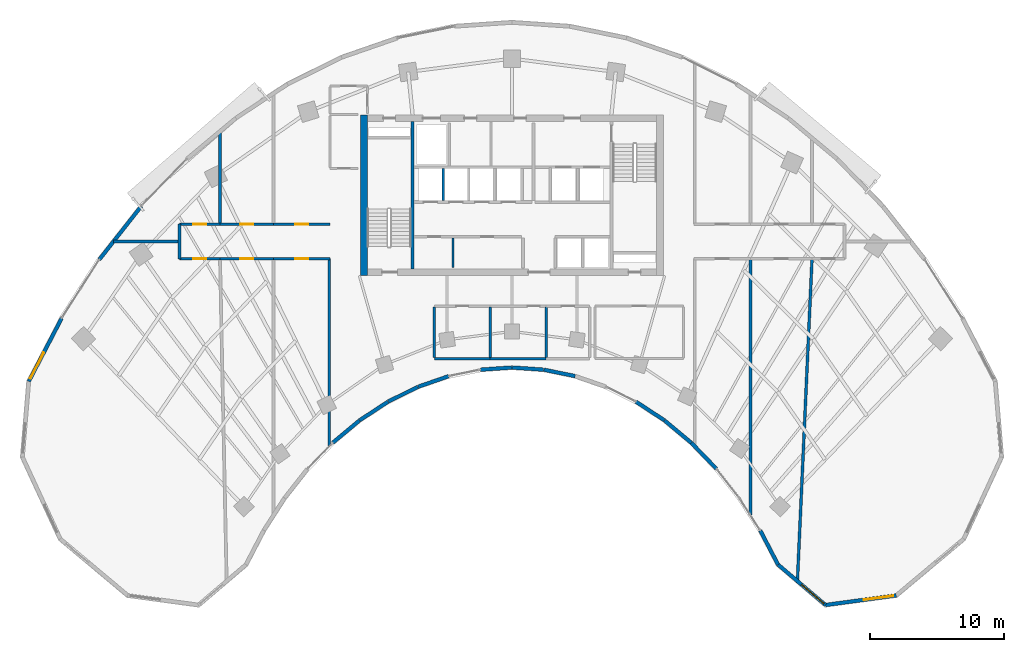
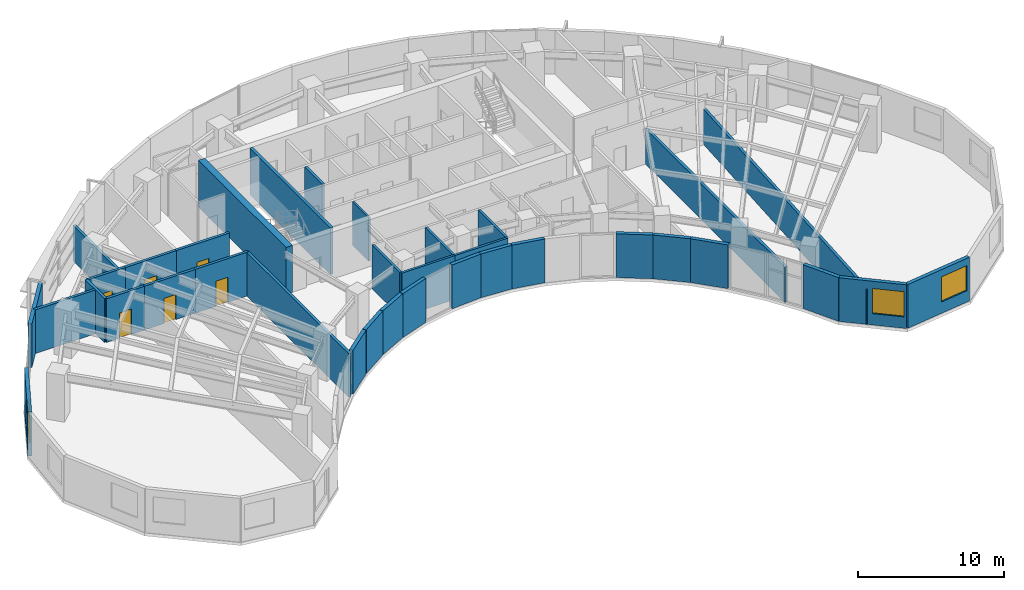
# One storey, part 8 of 14: 36 walls, 6 doors, 3 windows, 9 openings.
"""IFC4 building model written with IfcOpenShell, lengths in metres."""

from ifc_helpers import new_model, si_unit, direction, frame, frame_2d, origin, place, context, subcontext, project, spatial, rectangle, extrude, source, transform, mapped, material, layer, layer_set, type_object, type_shapes, element, fill, save


model = new_model("IFC4")

# Units and contexts
model_context = context("Model", 3, precision=1e-05, world=origin(), true_north=direction((0.0, 1.0)))
body_context = subcontext(model_context, "Body", "Model", "MODEL_VIEW")
ifc_project = project(units=[si_unit("LENGTHUNIT", "METRE"), si_unit("AREAUNIT", "SQUARE_METRE"), si_unit("VOLUMEUNIT", "CUBIC_METRE"), si_unit("PLANEANGLEUNIT", "RADIAN"), si_unit("MASSUNIT", "GRAM", prefix="KILO")], contexts=[model_context])

# Site, building, storey
site_placement = place(None, origin())
site = spatial("IfcSite", under=ifc_project, at=site_placement, CompositionType="ELEMENT")
building_placement = place(site_placement, origin())
building = spatial("IfcBuilding", under=site, at=building_placement, Name="Breltana Convention Tower", CompositionType="ELEMENT")
storey_placement = place(building_placement, frame((0.0, 0.0, 135.0)))
storey = spatial("IfcBuildingStorey", under=building, at=storey_placement, Name="L32", CompositionType="ELEMENT", Elevation=135.0)

# Walls
ifc_material_1 = material(Name="Concrete C60/75", Category="concrete")
ifc_layer_1 = layer(ifc_material_1, 0.5, Name="Concrete C60/75")
ifc_layer_set_1 = layer_set([ifc_layer_1], Name="Concrete C60/75")
wall_type_1 = type_object("IfcWallType", Name="SW-CORE-500", PredefinedType="SHEAR", material=ifc_layer_set_1)
shared_shape_1 = source(origin(), body_context, "Body", "SweptSolid", [
    extrude(rectangle(XDim=12.0, YDim=0.5, at=frame_2d((6.0, 0.0))), origin(), (0.0, 0.0, 1.0), 3.89990234375),
])
wall_1_placement = place(storey_placement, frame((36.949951171875, 60.199951171875, 0.0), z_axis=(0.0, 0.0, 1.0), x_axis=(0.0, 1.0, 0.0)))
element("IfcWall", 1, at=wall_1_placement, inside=storey, type_object=wall_type_1, Name="L32 West Core Shear Wall", PredefinedType="SHEAR", context=body_context, shape_type="MappedRepresentation", body=[
    mapped(shared_shape_1, transform((0.0, 0.0, 0.0), scale=1.0)),
])
ifc_material_2 = material(Name="Concrete C50/60", Category="concrete")
ifc_layer_2 = layer(ifc_material_2, 0.39990234375, Name="Concrete C50/60")
ifc_layer_set_2 = layer_set([ifc_layer_2], Name="Concrete C50/60")
wall_type_2 = type_object("IfcWallType", Name="SW-CORE-400", PredefinedType="SHEAR", material=ifc_layer_set_2)
shared_shape_2 = source(origin(), body_context, "Body", "SweptSolid", [
    extrude(rectangle(XDim=11.0, YDim=0.219970703125, at=frame_2d((5.5, 0.0))), origin(), (0.0, 0.0, 1.0), 3.89990234375),
])
wall_2_placement = place(storey_placement, frame((40.580078125, 60.699951171875, 0.0), z_axis=(0.0, 0.0, 1.0), x_axis=(0.0, 1.0, 0.0)))
element("IfcWall", 2, at=wall_2_placement, inside=storey, type_object=wall_type_2, Name="L32 Core West Stair Spine Wall", PredefinedType="SHEAR", context=body_context, shape_type="MappedRepresentation", body=[
    mapped(shared_shape_2, transform((0.0, 0.0, 0.0), scale=1.0)),
])

# Wall, opening, window
ifc_material_3 = material(Name="Limestone Buff Insulated Wall", Category="masonry")
ifc_layer_3 = layer(ifc_material_3, 0.280029296875, Name="Limestone Buff Insulated Wall")
ifc_layer_set_3 = layer_set([ifc_layer_3], Name="Limestone Buff Insulated Wall")
wall_type_3 = type_object("IfcWallType", Name="WL-EXT-NOSE-280", PredefinedType="SOLIDWALL", material=ifc_layer_set_3)
shared_shape_3 = source(origin(), body_context, "Body", "SweptSolid", [
    extrude(rectangle(XDim=5.32373046875, YDim=0.280029296875, at=frame_2d((2.661865234375, 0.0))), origin(), (0.0, 0.0, 1.0), 3.64990234375),
])
wall_3_placement = place(storey_placement, frame((76.685791015625, 36.321533203125, 0.0), z_axis=(0.0, 0.0, 1.0), x_axis=(-0.990931467223, -0.134368252451, 0.0)))
wall_3 = element("IfcWall", 3, at=wall_3_placement, inside=storey, type_object=wall_type_3, Name="L32 curved limestone nose wall E4", PredefinedType="SOLIDWALL", context=body_context, shape_type="MappedRepresentation", body=[
    mapped(shared_shape_3, transform((0.0, 0.0, 0.0), scale=1.0)),
])
opening_1_placement = place(wall_3_placement, frame((0.23095703125, 0.0, 0.949951171875)))
opening_1 = element("IfcOpeningElement", 4, at=opening_1_placement, cuts=wall_3, Name="Opening W-03", PredefinedType="OPENING", context=body_context, shape_type="SweptSolid", body=[
    extrude(rectangle(XDim=2.199951171875, YDim=2.10009765625, at=frame_2d((1.10009765625, 1.050048828125))), frame((0.0, 0.14990234375, 0.0), z_axis=(0.0, -1.0, 0.0), x_axis=(1.0, 0.0, 0.0)), (0.0, 0.0, 1.0), 0.300048828125),
])
ifc_material_4 = material(Name="Glass Low-E Insulated Window", Category="glass")
window_type = type_object("IfcWindowType", Name="WN-NOSE-2200X2100", PartitioningType="TRIPLE_PANEL_VERTICAL", PredefinedType="WINDOW", material=ifc_material_4)
shared_shape_4 = source(origin(), body_context, "Body", "SweptSolid", [
    extrude(rectangle(XDim=2.199951171875, YDim=2.10009765625, at=frame_2d((1.10009765625, 1.050048828125))), frame((0.0, 0.030029296875, 0.0), z_axis=(0.0, -1.0, 0.0), x_axis=(1.0, 0.0, 0.0)), (0.0, 0.0, 1.0), 0.06005859375),
])
type_shapes(window_type, [shared_shape_4])
window_1_placement = place(opening_1_placement, origin())
window_1 = element("IfcWindow", 5, at=window_1_placement, inside=storey, type_object=window_type, Name="L32 nose window E4", OverallHeight=2.10009765625, OverallWidth=2.199951171875, PartitioningType="TRIPLE_PANEL_VERTICAL", PredefinedType="WINDOW", context=body_context, shape_type="MappedRepresentation", body=[
    mapped(shared_shape_4, transform((0.0, 0.0, 0.0), scale=1.0)),
])
fill(opening_1, window_1)

shared_shape_5 = source(origin(), body_context, "Body", "SweptSolid", [
    extrude(rectangle(XDim=4.6591796875, YDim=0.280029296875, at=frame_2d((2.32958984375, 0.0))), origin(), (0.0, 0.0, 1.0), 3.64990234375),
])
wall_4_placement = place(storey_placement, frame((71.410400390625, 35.606201171875, 0.0), z_axis=(0.0, 0.0, 1.0), x_axis=(-0.761913458795, 0.647678841176, 0.0)))
wall_4 = element("IfcWall", 6, at=wall_4_placement, inside=storey, type_object=wall_type_3, Name="L32 curved limestone nose wall E5", PredefinedType="SOLIDWALL", context=body_context, shape_type="MappedRepresentation", body=[
    mapped(shared_shape_5, transform((0.0, 0.0, 0.0), scale=1.0)),
])
opening_2_placement = place(wall_4_placement, frame((0.159912109375, 0.0, 0.949951171875)))
opening_2 = element("IfcOpeningElement", 7, at=opening_2_placement, cuts=wall_4, Name="Opening W-03", PredefinedType="OPENING", context=body_context, shape_type="SweptSolid", body=[
    extrude(rectangle(XDim=2.199951171875, YDim=2.10009765625, at=frame_2d((1.10009765625, 1.050048828125))), frame((0.0, 0.14990234375, 0.0), z_axis=(0.0, -1.0, 0.0), x_axis=(1.0, 0.0, 0.0)), (0.0, 0.0, 1.0), 0.300048828125),
])
window_2_placement = place(opening_2_placement, origin())
window_2 = element("IfcWindow", 8, at=window_2_placement, inside=storey, type_object=window_type, Name="L32 nose window E5", OverallHeight=2.10009765625, OverallWidth=2.199951171875, PartitioningType="TRIPLE_PANEL_VERTICAL", PredefinedType="WINDOW", context=body_context, shape_type="MappedRepresentation", body=[
    mapped(shared_shape_4, transform((0.0, 0.0, 0.0), scale=1.0)),
])
fill(opening_2, window_2)

# Walls
shared_shape_6 = source(origin(), body_context, "Body", "SweptSolid", [
    extrude(rectangle(XDim=2.8798828125, YDim=0.280029296875, at=frame_2d((1.43994140625, 0.0))), origin(), (0.0, 0.0, 1.0), 3.64990234375),
])
wall_5_placement = place(storey_placement, frame((67.860595703125, 38.623779296875, 0.0), z_axis=(0.0, 0.0, 1.0), x_axis=(-0.461769086658, 0.887000175088, 0.0)))
element("IfcWall", 9, at=wall_5_placement, inside=storey, type_object=wall_type_3, Name="L32 curved limestone nose wall E6", PredefinedType="SOLIDWALL", context=body_context, shape_type="MappedRepresentation", body=[
    mapped(shared_shape_6, transform((0.0, 0.0, 0.0), scale=1.0)),
])
shared_shape_7 = source(origin(), body_context, "Body", "SweptSolid", [
    extrude(rectangle(XDim=2.679931640625, YDim=0.280029296875, at=frame_2d((1.33984375, 0.0))), origin(), (0.0, 0.0, 1.0), 3.64990234375),
])
wall_6_placement = place(storey_placement, frame((63.260009765625, 45.780029296875, 0.0), z_axis=(0.0, 0.0, 1.0), x_axis=(-0.694561996568, 0.719432855049, 0.0)))
element("IfcWall", 10, at=wall_6_placement, inside=storey, type_object=wall_type_3, Name="L32 curved limestone nose wall E7", PredefinedType="SOLIDWALL", context=body_context, shape_type="MappedRepresentation", body=[
    mapped(shared_shape_7, transform((0.0, 0.0, 0.0), scale=1.0)),
])
shared_shape_8 = source(origin(), body_context, "Body", "SweptSolid", [
    extrude(rectangle(XDim=2.600830078125, YDim=0.280029296875, at=frame_2d((1.30029296875, 0.0))), origin(), (0.0, 0.0, 1.0), 3.64990234375),
])
for number, where, z_axis, x_axis, name in (
    (11, (61.384521484375, 47.72119140625, 0.0), (0.0, 0.0, 1.0), (-0.76796730295, 0.640489048775, 0.0), "L32 curved limestone nose wall E8"),
    (12, (36.61279296875, 49.386962890625, 0.0), (0.0, 0.0, 1.0), (-0.76796730295, -0.640489048775, 0.0), "L32 curved limestone nose wall E17"),
):
    element("IfcWall", number, at=place(storey_placement, frame(where, z_axis=z_axis, x_axis=x_axis)), inside=storey, type_object=wall_type_3, Name=name, PredefinedType="SOLIDWALL", context=body_context, shape_type="MappedRepresentation", body=[
        mapped(shared_shape_8, transform((0.0, 0.0, 0.0), scale=1.0)),
    ])
shared_shape_9 = source(origin(), body_context, "Body", "SweptSolid", [
    extrude(rectangle(XDim=2.46240234375, YDim=0.280029296875, at=frame_2d((1.231201171875, 0.0))), origin(), (0.0, 0.0, 1.0), 3.64990234375),
])
wall_7_placement = place(storey_placement, frame((40.96728515625, 51.890625, 0.0), z_axis=(0.0, 0.0, 1.0), x_axis=(-0.8959882207, -0.444077817917, 0.0)))
element("IfcWall", 13, at=wall_7_placement, inside=storey, type_object=wall_type_3, Name="L32 curved limestone nose wall E15", PredefinedType="SOLIDWALL", context=body_context, shape_type="MappedRepresentation", body=[
    mapped(shared_shape_9, transform((0.0, 0.0, 0.0), scale=1.0)),
])
shared_shape_10 = source(origin(), body_context, "Body", "SweptSolid", [
    extrude(rectangle(XDim=2.41064453125, YDim=0.280029296875, at=frame_2d((1.205322265625, 0.0))), origin(), (0.0, 0.0, 1.0), 3.64990234375),
])
wall_8_placement = place(storey_placement, frame((43.26611328125, 52.688720703125, 0.0), z_axis=(0.0, 0.0, 1.0), x_axis=(-0.944880068161, -0.327416640982, 0.0)))
element("IfcWall", 14, at=wall_8_placement, inside=storey, type_object=wall_type_3, Name="L32 curved limestone nose wall E14", PredefinedType="SOLIDWALL", context=body_context, shape_type="MappedRepresentation", body=[
    mapped(shared_shape_10, transform((0.0, 0.0, 0.0), scale=1.0)),
])
shared_shape_11 = source(origin(), body_context, "Body", "SweptSolid", [
    extrude(rectangle(XDim=2.373779296875, YDim=0.280029296875, at=frame_2d((1.18701171875, 0.0))), origin(), (0.0, 0.0, 1.0), 3.64990234375),
])
wall_9_placement = place(storey_placement, frame((52.711181640625, 52.695068359375, 0.0), z_axis=(0.0, 0.0, 1.0), x_axis=(-0.979619827472, 0.200860632341, 0.0)))
element("IfcWall", 15, at=wall_9_placement, inside=storey, type_object=wall_type_3, Name="L32 curved limestone nose wall E11", PredefinedType="SOLIDWALL", context=body_context, shape_type="MappedRepresentation", body=[
    mapped(shared_shape_11, transform((0.0, 0.0, 0.0), scale=1.0)),
])
shared_shape_12 = source(origin(), body_context, "Body", "SweptSolid", [
    extrude(rectangle(XDim=2.35498046875, YDim=0.280029296875, at=frame_2d((1.177490234375, 0.0))), origin(), (0.0, 0.0, 1.0), 3.64990234375),
])
for number, where, z_axis, x_axis, name in (
    (16, (50.36181640625, 53.175048828125, 0.0), (0.0, 0.0, 1.0), (-0.997699017577, 0.067798748701, 0.0), "L32 curved limestone nose wall E12"),
    (17, (47.98779296875, 53.334716796875, 0.0), (0.0, 0.0, 1.0), (-0.997699017577, -0.067798748701, 0.0), "L32 curved limestone nose wall E13"),
):
    element("IfcWall", number, at=place(storey_placement, frame(where, z_axis=z_axis, x_axis=x_axis)), inside=storey, type_object=wall_type_3, Name=name, PredefinedType="SOLIDWALL", context=body_context, shape_type="MappedRepresentation", body=[
        mapped(shared_shape_12, transform((0.0, 0.0, 0.0), scale=1.0)),
    ])
shared_shape_13 = source(origin(), body_context, "Body", "SweptSolid", [
    extrude(rectangle(XDim=2.52734375, YDim=0.280029296875, at=frame_2d((1.263671875, 0.0))), origin(), (0.0, 0.0, 1.0), 3.64990234375),
])
for number, where, z_axis, x_axis, name in (
    (18, (59.37060546875, 49.3994140625, 0.0), (0.0, 0.0, 1.0), (-0.836011905051, 0.548711303523, 0.0), "L32 curved limestone nose wall E9"),
    (19, (38.7421875, 50.7861328125, 0.0), (0.0, 0.0, 1.0), (-0.836011905051, -0.548711303523, 0.0), "L32 curved limestone nose wall E16"),
):
    element("IfcWall", number, at=place(storey_placement, frame(where, z_axis=z_axis, x_axis=x_axis)), inside=storey, type_object=wall_type_3, Name=name, PredefinedType="SOLIDWALL", context=body_context, shape_type="MappedRepresentation", body=[
        mapped(shared_shape_13, transform((0.0, 0.0, 0.0), scale=1.0)),
    ])

# Wall, opening, window
shared_shape_14 = source(origin(), body_context, "Body", "SweptSolid", [
    extrude(rectangle(XDim=5.315185546875, YDim=0.280029296875, at=frame_2d((2.65771484375, 0.0))), origin(), (0.0, 0.0, 1.0), 3.64990234375),
])
wall_10_placement = place(storey_placement, frame((11.92236328125, 52.305419921875, 0.0), z_axis=(0.0, 0.0, 1.0), x_axis=(0.461760527822, 0.887004630735, 0.0)))
wall_10 = element("IfcWall", 20, at=wall_10_placement, inside=storey, type_object=wall_type_3, Name="L32 curved limestone nose wall W7", PredefinedType="SOLIDWALL", context=body_context, shape_type="MappedRepresentation", body=[
    mapped(shared_shape_14, transform((0.0, 0.0, 0.0), scale=1.0)),
])
opening_3_placement = place(wall_10_placement, frame((0.228759765625, 0.0, 0.949951171875)))
opening_3 = element("IfcOpeningElement", 21, at=opening_3_placement, cuts=wall_10, Name="Opening W-03", PredefinedType="OPENING", context=body_context, shape_type="SweptSolid", body=[
    extrude(rectangle(XDim=2.199951171875, YDim=2.10009765625, at=frame_2d((1.10009765625, 1.050048828125))), frame((0.0, 0.14990234375, 0.0), z_axis=(0.0, -1.0, 0.0), x_axis=(1.0, 0.0, 0.0)), (0.0, 0.0, 1.0), 0.300048828125),
])
window_3_placement = place(opening_3_placement, origin())
window_3 = element("IfcWindow", 22, at=window_3_placement, inside=storey, type_object=window_type, Name="L32 nose window W7", OverallHeight=2.10009765625, OverallWidth=2.199951171875, PartitioningType="TRIPLE_PANEL_VERTICAL", PredefinedType="WINDOW", context=body_context, shape_type="MappedRepresentation", body=[
    mapped(shared_shape_4, transform((0.0, 0.0, 0.0), scale=1.0)),
])
fill(opening_3, window_3)

# Walls
shared_shape_15 = source(origin(), body_context, "Body", "SweptSolid", [
    extrude(rectangle(XDim=5.05810546875, YDim=0.280029296875, at=frame_2d((2.529052734375, 0.0))), origin(), (0.0, 0.0, 1.0), 3.64990234375),
])
wall_11_placement = place(storey_placement, frame((17.1884765625, 61.400390625, 0.0), z_axis=(0.0, 0.0, 1.0), x_axis=(0.618145507434, 0.786063694391, 0.0)))
element("IfcWall", 23, at=wall_11_placement, inside=storey, type_object=wall_type_3, Name="L32 curved limestone nose wall E20", PredefinedType="SOLIDWALL", context=body_context, shape_type="MappedRepresentation", body=[
    mapped(shared_shape_15, transform((0.0, 0.0, 0.0), scale=1.0)),
])
ifc_material_5 = material(Name="Autoclaved Aerated Concrete Block", Category="concrete")
ifc_layer_4 = layer(ifc_material_5, 0.199951171875, Name="Autoclaved Aerated Concrete Block")
ifc_layer_set_4 = layer_set([ifc_layer_4], Name="Autoclaved Aerated Concrete Block")
wall_type_4 = type_object("IfcWallType", Name="WL-SHAFT-200", PredefinedType="SOLIDWALL", material=ifc_layer_set_4)
shared_shape_16 = source(origin(), body_context, "Body", "SweptSolid", [
    extrude(rectangle(XDim=2.39990234375, YDim=0.199951171875, at=frame_2d((1.199951171875, 0.0))), origin(), (0.0, 0.0, 1.0), 3.64990234375),
])
wall_12_placement = place(storey_placement, frame((42.8701171875, 65.800048828125, 0.0), z_axis=(0.0, 0.0, 1.0), x_axis=(0.0, 1.0, 0.0)))
element("IfcWall", 24, at=wall_12_placement, inside=storey, type_object=wall_type_4, Name="L32 interior partition W-L32-SH-M-DIV1", PredefinedType="SOLIDWALL", context=body_context, shape_type="MappedRepresentation", body=[
    mapped(shared_shape_16, transform((0.0, 0.0, 0.0), scale=1.0)),
])
ifc_material_6 = material(Name="Cement Board Wet-Area Partition")
ifc_layer_5 = layer(ifc_material_6, 0.175048828125, Name="Cement Board Wet-Area Partition")
ifc_layer_set_5 = layer_set([ifc_layer_5], Name="Cement Board Wet-Area Partition")
wall_type_5 = type_object("IfcWallType", Name="WL-WET-175", PredefinedType="PARTITIONING", material=ifc_layer_set_5)
shared_shape_17 = source(origin(), body_context, "Body", "SweptSolid", [
    extrude(rectangle(XDim=4.176025390625, YDim=0.175048828125, at=frame_2d((2.087890625, 0.0))), origin(), (0.0, 0.0, 1.0), 3.64990234375),
])
for number, where, z_axis, x_axis, name in (
    (25, (42.199951171875, 54.0, 0.0), (0.0, 0.0, 1.0), (1.0, 0.0, 0.0), "L32 interior partition W-L32-WCM-S"),
    (26, (46.3759765625, 54.0, 0.0), (0.0, 0.0, 1.0), (1.0, 0.0, 0.0), "L32 interior partition W-L32-WCF-S"),
):
    element("IfcWall", number, at=place(storey_placement, frame(where, z_axis=z_axis, x_axis=x_axis)), inside=storey, type_object=wall_type_5, Name=name, PredefinedType="PARTITIONING", context=body_context, shape_type="MappedRepresentation", body=[
        mapped(shared_shape_17, transform((0.0, 0.0, 0.0), scale=1.0)),
    ])
shared_shape_18 = source(origin(), body_context, "Body", "SweptSolid", [
    extrude(rectangle(XDim=3.7626953125, YDim=0.175048828125, at=frame_2d((1.88134765625, 0.0))), origin(), (0.0, 0.0, 1.0), 3.64990234375),
])
for number, where, z_axis, x_axis, name in (
    (27, (42.199951171875, 54.07861328125, 0.0), (0.0, 0.0, 1.0), (0.0, 1.0, 0.0), "L32 interior partition W-L32-WCM-W"),
    (28, (46.3759765625, 54.07861328125, 0.0), (0.0, 0.0, 1.0), (0.0, 1.0, 0.0), "L32 interior partition W-L32-WCM-E"),
    (29, (50.552001953125, 54.07861328125, 0.0), (0.0, 0.0, 1.0), (0.0, 1.0, 0.0), "L32 interior partition W-L32-WCF-E"),
):
    element("IfcWall", number, at=place(storey_placement, frame(where, z_axis=z_axis, x_axis=x_axis)), inside=storey, type_object=wall_type_5, Name=name, PredefinedType="PARTITIONING", context=body_context, shape_type="MappedRepresentation", body=[
        mapped(shared_shape_18, transform((0.0, 0.0, 0.0), scale=1.0)),
    ])
ifc_material_7 = material(Name="Gypsum Acoustic Drywall Partition")
ifc_layer_6 = layer(ifc_material_7, 0.14990234375, Name="Gypsum Acoustic Drywall Partition")
ifc_layer_set_6 = layer_set([ifc_layer_6], Name="Gypsum Acoustic Drywall Partition")
wall_type_6 = type_object("IfcWallType", Name="WL-PART-150", PredefinedType="PARTITIONING", material=ifc_layer_set_6)
shared_shape_19 = source(origin(), body_context, "Body", "SweptSolid", [
    extrude(rectangle(XDim=2.199951171875, YDim=0.14990234375, at=frame_2d((1.10009765625, 0.0))), origin(), (0.0, 0.0, 1.0), 3.64990234375),
])
wall_13_placement = place(storey_placement, frame((43.60009765625, 60.800048828125, 0.0), z_axis=(0.0, 0.0, 1.0), x_axis=(0.0, 1.0, 0.0)))
element("IfcWall", 30, at=wall_13_placement, inside=storey, type_object=wall_type_6, Name="L32 interior partition W-L32-LV7-B1-DIV", PredefinedType="PARTITIONING", context=body_context, shape_type="MappedRepresentation", body=[
    mapped(shared_shape_19, transform((0.0, 0.0, 0.0), scale=1.0)),
])

# Wall, opening, door
ifc_material_8 = material(Name="Autoclaved Aerated Masonry Blockwork", Category="masonry")
ifc_layer_7 = layer(ifc_material_8, 0.2099609375, Name="Autoclaved Aerated Masonry Blockwork")
ifc_layer_set_7 = layer_set([ifc_layer_7], Name="Autoclaved Aerated Masonry Blockwork")
wall_type_7 = type_object("IfcWallType", Name="WL-PART-200", PredefinedType="PARTITIONING", material=ifc_layer_set_7)
shared_shape_20 = source(origin(), body_context, "Body", "SweptSolid", [
    extrude(rectangle(XDim=3.02001953125, YDim=0.2099609375, at=frame_2d((1.510009765625, 0.0))), origin(), (0.0, 0.0, 1.0), 3.64990234375),
])
wall_14_placement = place(storey_placement, frame((23.179931640625, 64.0400390625, 0.0), z_axis=(0.0, 0.0, 1.0), x_axis=(1.0, 0.0, 0.0)))
wall_14 = element("IfcWall", 31, at=wall_14_placement, inside=storey, type_object=wall_type_7, Name="L32 interior partition W-L32-ZWN1-D", PredefinedType="PARTITIONING", context=body_context, shape_type="MappedRepresentation", body=[
    mapped(shared_shape_20, transform((0.0, 0.0, 0.0), scale=1.0)),
])
opening_4_placement = place(wall_14_placement, frame((1.034912109375, 0.0, 0.0)))
opening_4 = element("IfcOpeningElement", 32, at=opening_4_placement, cuts=wall_14, Name="Opening D-17", PredefinedType="OPENING", context=body_context, shape_type="SweptSolid", body=[
    extrude(rectangle(XDim=0.949951171875, YDim=2.10009765625, at=frame_2d((0.47509765625, 1.050048828125))), frame((0.0, 0.114990234375, 0.0), z_axis=(0.0, -1.0, 0.0), x_axis=(1.0, 0.0, 0.0)), (0.0, 0.0, 1.0), 0.22998046875),
])
ifc_material_9 = material(Name="Timber Oak Veneer Door", Category="wood")
door_type = type_object("IfcDoorType", Name="DR-INT-950", OperationType="NOTDEFINED", PredefinedType="DOOR", material=ifc_material_9)
shared_shape_21 = source(origin(), body_context, "Body", "SweptSolid", [
    extrude(rectangle(XDim=0.949951171875, YDim=2.10009765625, at=frame_2d((0.47509765625, 1.050048828125))), frame((0.0, 0.02490234375, 0.0), z_axis=(0.0, -1.0, 0.0), x_axis=(1.0, 0.0, 0.0)), (0.0, 0.0, 1.0), 0.050048828125),
])
type_shapes(door_type, [shared_shape_21])
door_1_placement = place(opening_4_placement, origin())
door_1 = element("IfcDoor", 33, at=door_1_placement, inside=storey, type_object=door_type, Name="L32 interior door D-L32-ZWN1", OperationType="SINGLE_SWING_LEFT", OverallHeight=2.10009765625, OverallWidth=0.949951171875, PredefinedType="DOOR", context=body_context, shape_type="MappedRepresentation", body=[
    mapped(shared_shape_21, transform((0.0, 0.0, 0.0), scale=1.0)),
])
fill(opening_4, door_1)

wall_15_placement = place(storey_placement, frame((23.179931640625, 61.4599609375, 0.0), z_axis=(0.0, 0.0, 1.0), x_axis=(1.0, 0.0, 0.0)))
wall_15 = element("IfcWall", 34, at=wall_15_placement, inside=storey, type_object=wall_type_7, Name="L32 interior partition W-L32-ZWS1-D", PredefinedType="PARTITIONING", context=body_context, shape_type="MappedRepresentation", body=[
    mapped(shared_shape_20, transform((0.0, 0.0, 0.0), scale=1.0)),
])
opening_5_placement = place(wall_15_placement, frame((1.034912109375, 0.0, 0.0)))
opening_5 = element("IfcOpeningElement", 35, at=opening_5_placement, cuts=wall_15, Name="Opening D-17", PredefinedType="OPENING", context=body_context, shape_type="SweptSolid", body=[
    extrude(rectangle(XDim=0.949951171875, YDim=2.10009765625, at=frame_2d((0.47509765625, 1.050048828125))), frame((0.0, 0.114990234375, 0.0), z_axis=(0.0, -1.0, 0.0), x_axis=(1.0, 0.0, 0.0)), (0.0, 0.0, 1.0), 0.22998046875),
])
door_2_placement = place(opening_5_placement, origin())
door_2 = element("IfcDoor", 36, at=door_2_placement, inside=storey, type_object=door_type, Name="L32 interior door D-L32-ZWS1", OperationType="SINGLE_SWING_RIGHT", OverallHeight=2.10009765625, OverallWidth=0.949951171875, PredefinedType="DOOR", context=body_context, shape_type="MappedRepresentation", body=[
    mapped(shared_shape_21, transform((0.0, 0.0, 0.0), scale=1.0)),
])
fill(opening_5, door_2)

# Wall
shared_shape_22 = source(origin(), body_context, "Body", "SweptSolid", [
    extrude(rectangle(XDim=6.89892578125, YDim=0.2099609375, at=frame_2d((3.449462890625, 0.0))), origin(), (0.0, 0.0, 1.0), 2.94189453125),
])
wall_16_placement = place(storey_placement, frame((26.199951171875, 64.06005859375, 0.0), z_axis=(0.0, 0.0, 1.0), x_axis=(0.0, 1.0, 0.0)))
element("IfcWall", 37, at=wall_16_placement, inside=storey, type_object=wall_type_7, Name="L32 interior partition W-L32-ZWN1-E", PredefinedType="PARTITIONING", context=body_context, shape_type="MappedRepresentation", body=[
    mapped(shared_shape_22, transform((0.0, 0.0, 0.0), scale=1.0)),
])

# Wall, opening, door
shared_shape_23 = source(origin(), body_context, "Body", "SweptSolid", [
    extrude(rectangle(XDim=4.0, YDim=0.2099609375, at=frame_2d((2.0, 0.0))), origin(), (0.0, 0.0, 1.0), 3.64990234375),
])
wall_17_placement = place(storey_placement, frame((26.199951171875, 64.0400390625, 0.0), z_axis=(0.0, 0.0, 1.0), x_axis=(1.0, 0.0, 0.0)))
wall_17 = element("IfcWall", 38, at=wall_17_placement, inside=storey, type_object=wall_type_7, Name="L32 interior partition W-L32-ZWN2-D", PredefinedType="PARTITIONING", context=body_context, shape_type="MappedRepresentation", body=[
    mapped(shared_shape_23, transform((0.0, 0.0, 0.0), scale=1.0)),
])
opening_6_placement = place(wall_17_placement, frame((1.52490234375, 0.0, 0.0)))
opening_6 = element("IfcOpeningElement", 39, at=opening_6_placement, cuts=wall_17, Name="Opening D-17", PredefinedType="OPENING", context=body_context, shape_type="SweptSolid", body=[
    extrude(rectangle(XDim=0.949951171875, YDim=2.10009765625, at=frame_2d((0.47509765625, 1.050048828125))), frame((0.0, 0.114990234375, 0.0), z_axis=(0.0, -1.0, 0.0), x_axis=(1.0, 0.0, 0.0)), (0.0, 0.0, 1.0), 0.22998046875),
])
door_3_placement = place(opening_6_placement, origin())
door_3 = element("IfcDoor", 40, at=door_3_placement, inside=storey, type_object=door_type, Name="L32 interior door D-L32-ZWN2", OperationType="SINGLE_SWING_RIGHT", OverallHeight=2.10009765625, OverallWidth=0.949951171875, PredefinedType="DOOR", context=body_context, shape_type="MappedRepresentation", body=[
    mapped(shared_shape_21, transform((0.0, 0.0, 0.0), scale=1.0)),
])
fill(opening_6, door_3)

wall_18_placement = place(storey_placement, frame((26.199951171875, 61.4599609375, 0.0), z_axis=(0.0, 0.0, 1.0), x_axis=(1.0, 0.0, 0.0)))
wall_18 = element("IfcWall", 41, at=wall_18_placement, inside=storey, type_object=wall_type_7, Name="L32 interior partition W-L32-ZWS2-D", PredefinedType="PARTITIONING", context=body_context, shape_type="MappedRepresentation", body=[
    mapped(shared_shape_23, transform((0.0, 0.0, 0.0), scale=1.0)),
])
opening_7_placement = place(wall_18_placement, frame((1.52490234375, 0.0, 0.0)))
opening_7 = element("IfcOpeningElement", 42, at=opening_7_placement, cuts=wall_18, Name="Opening D-17", PredefinedType="OPENING", context=body_context, shape_type="SweptSolid", body=[
    extrude(rectangle(XDim=0.949951171875, YDim=2.10009765625, at=frame_2d((0.47509765625, 1.050048828125))), frame((0.0, 0.114990234375, 0.0), z_axis=(0.0, -1.0, 0.0), x_axis=(1.0, 0.0, 0.0)), (0.0, 0.0, 1.0), 0.22998046875),
])
door_4_placement = place(opening_7_placement, origin())
door_4 = element("IfcDoor", 43, at=door_4_placement, inside=storey, type_object=door_type, Name="L32 interior door D-L32-ZWS2", OperationType="SINGLE_SWING_LEFT", OverallHeight=2.10009765625, OverallWidth=0.949951171875, PredefinedType="DOOR", context=body_context, shape_type="MappedRepresentation", body=[
    mapped(shared_shape_21, transform((0.0, 0.0, 0.0), scale=1.0)),
])
fill(opening_7, door_4)

shared_shape_24 = source(origin(), body_context, "Body", "SweptSolid", [
    extrude(rectangle(XDim=4.199951171875, YDim=0.2099609375, at=frame_2d((2.10009765625, 0.0))), origin(), (0.0, 0.0, 1.0), 3.64990234375),
])
wall_19_placement = place(storey_placement, frame((30.199951171875, 64.0400390625, 0.0), z_axis=(0.0, 0.0, 1.0), x_axis=(1.0, 0.0, 0.0)))
wall_19 = element("IfcWall", 44, at=wall_19_placement, inside=storey, type_object=wall_type_7, Name="L32 interior partition W-L32-ZWN3-D", PredefinedType="PARTITIONING", context=body_context, shape_type="MappedRepresentation", body=[
    mapped(shared_shape_24, transform((0.0, 0.0, 0.0), scale=1.0)),
])
opening_8_placement = place(wall_19_placement, frame((1.625, 0.0, 0.0)))
opening_8 = element("IfcOpeningElement", 45, at=opening_8_placement, cuts=wall_19, Name="Opening D-17", PredefinedType="OPENING", context=body_context, shape_type="SweptSolid", body=[
    extrude(rectangle(XDim=0.949951171875, YDim=2.10009765625, at=frame_2d((0.47509765625, 1.050048828125))), frame((0.0, 0.114990234375, 0.0), z_axis=(0.0, -1.0, 0.0), x_axis=(1.0, 0.0, 0.0)), (0.0, 0.0, 1.0), 0.22998046875),
])
door_5_placement = place(opening_8_placement, origin())
door_5 = element("IfcDoor", 46, at=door_5_placement, inside=storey, type_object=door_type, Name="L32 interior door D-L32-ZWN3", OperationType="SINGLE_SWING_LEFT", OverallHeight=2.10009765625, OverallWidth=0.949951171875, PredefinedType="DOOR", context=body_context, shape_type="MappedRepresentation", body=[
    mapped(shared_shape_21, transform((0.0, 0.0, 0.0), scale=1.0)),
])
fill(opening_8, door_5)

wall_20_placement = place(storey_placement, frame((30.199951171875, 61.4599609375, 0.0), z_axis=(0.0, 0.0, 1.0), x_axis=(1.0, 0.0, 0.0)))
wall_20 = element("IfcWall", 47, at=wall_20_placement, inside=storey, type_object=wall_type_7, Name="L32 interior partition W-L32-ZWS3-D", PredefinedType="PARTITIONING", context=body_context, shape_type="MappedRepresentation", body=[
    mapped(shared_shape_24, transform((0.0, 0.0, 0.0), scale=1.0)),
])
opening_9_placement = place(wall_20_placement, frame((1.625, 0.0, 0.0)))
opening_9 = element("IfcOpeningElement", 48, at=opening_9_placement, cuts=wall_20, Name="Opening D-17", PredefinedType="OPENING", context=body_context, shape_type="SweptSolid", body=[
    extrude(rectangle(XDim=0.949951171875, YDim=2.10009765625, at=frame_2d((0.47509765625, 1.050048828125))), frame((0.0, 0.114990234375, 0.0), z_axis=(0.0, -1.0, 0.0), x_axis=(1.0, 0.0, 0.0)), (0.0, 0.0, 1.0), 0.22998046875),
])
door_6_placement = place(opening_9_placement, origin())
door_6 = element("IfcDoor", 49, at=door_6_placement, inside=storey, type_object=door_type, Name="L32 interior door D-L32-ZWS3", OperationType="SINGLE_SWING_RIGHT", OverallHeight=2.10009765625, OverallWidth=0.949951171875, PredefinedType="DOOR", context=body_context, shape_type="MappedRepresentation", body=[
    mapped(shared_shape_21, transform((0.0, 0.0, 0.0), scale=1.0)),
])
fill(opening_9, door_6)

# Walls
shared_shape_25 = source(origin(), body_context, "Body", "SweptSolid", [
    extrude(rectangle(XDim=19.103271484375, YDim=0.2099609375, at=frame_2d((9.5517578125, 0.0))), origin(), (0.0, 0.0, 1.0), 2.94189453125),
])
wall_21_placement = place(storey_placement, frame((65.800048828125, 42.336669921875, 0.0), z_axis=(0.0, 0.0, 1.0), x_axis=(0.0, 1.0, 0.0)))
element("IfcWall", 50, at=wall_21_placement, inside=storey, type_object=wall_type_7, Name="L32 interior partition W-L32-ZES1-E", PredefinedType="PARTITIONING", context=body_context, shape_type="MappedRepresentation", body=[
    mapped(shared_shape_25, transform((0.0, 0.0, 0.0), scale=1.0)),
])
shared_shape_26 = source(origin(), body_context, "Body", "SweptSolid", [
    extrude(rectangle(XDim=13.987548828125, YDim=0.2099609375, at=frame_2d((6.99365234375, 0.0))), origin(), (0.0, 0.0, 1.0), 3.64990234375),
])
wall_22_placement = place(storey_placement, frame((34.360107421875, 47.472412109375, 0.0), z_axis=(0.0, 0.0, 1.0), x_axis=(0.0, 1.0, 0.0)))
element("IfcWall", 51, at=wall_22_placement, inside=storey, type_object=wall_type_7, Name="L32 interior partition W-L32-ZODD-WC", PredefinedType="PARTITIONING", context=body_context, shape_type="MappedRepresentation", body=[
    mapped(shared_shape_26, transform((0.0, 0.0, 0.0), scale=1.0)),
])
shared_shape_27 = source(origin(), body_context, "Body", "SweptSolid", [
    extrude(rectangle(XDim=24.22412109375, YDim=0.2099609375, at=frame_2d((12.112060546875, 0.0))), origin(), (0.0, 0.0, 1.0), 2.94189453125),
])
wall_23_placement = place(storey_placement, frame((69.30224609375, 37.24072265625, 0.0), z_axis=(0.0, 0.0, 1.0), x_axis=(0.045312570313, 0.998972857975, 0.0)))
element("IfcWall", 52, at=wall_23_placement, inside=storey, type_object=wall_type_7, Name="L32 interior partition W-L32-ZES2-E", PredefinedType="PARTITIONING", context=body_context, shape_type="MappedRepresentation", body=[
    mapped(shared_shape_27, transform((0.0, 0.0, 0.0), scale=1.0)),
])
shared_shape_28 = source(origin(), body_context, "Body", "SweptSolid", [
    extrude(rectangle(XDim=2.6201171875, YDim=0.2099609375, at=frame_2d((1.31005859375, 0.0))), origin(), (0.0, 0.0, 1.0), 3.64990234375),
])
wall_24_placement = place(storey_placement, frame((23.179931640625, 61.43994140625, 0.0), z_axis=(0.0, 0.0, 1.0), x_axis=(0.0, 1.0, 0.0)))
element("IfcWall", 53, at=wall_24_placement, inside=storey, type_object=wall_type_7, Name="L32 interior partition W-L32-ZFW-CAP", PredefinedType="PARTITIONING", context=body_context, shape_type="MappedRepresentation", body=[
    mapped(shared_shape_28, transform((0.0, 0.0, 0.0), scale=1.0)),
])
shared_shape_29 = source(origin(), body_context, "Body", "SweptSolid", [
    extrude(rectangle(XDim=4.91748046875, YDim=0.2099609375, at=frame_2d((2.458740234375, 0.0))), origin(), (0.0, 0.0, 1.0), 3.64990234375),
])
wall_25_placement = place(storey_placement, frame((18.262451171875, 62.75, 0.0), z_axis=(0.0, 0.0, 1.0), x_axis=(1.0, 0.0, 0.0)))
element("IfcWall", 54, at=wall_25_placement, inside=storey, type_object=wall_type_7, Name="L32 interior partition W-L32-ZFW-EXT", PredefinedType="PARTITIONING", context=body_context, shape_type="MappedRepresentation", body=[
    mapped(shared_shape_29, transform((0.0, 0.0, 0.0), scale=1.0)),
])

save(model, "model.ifc")
